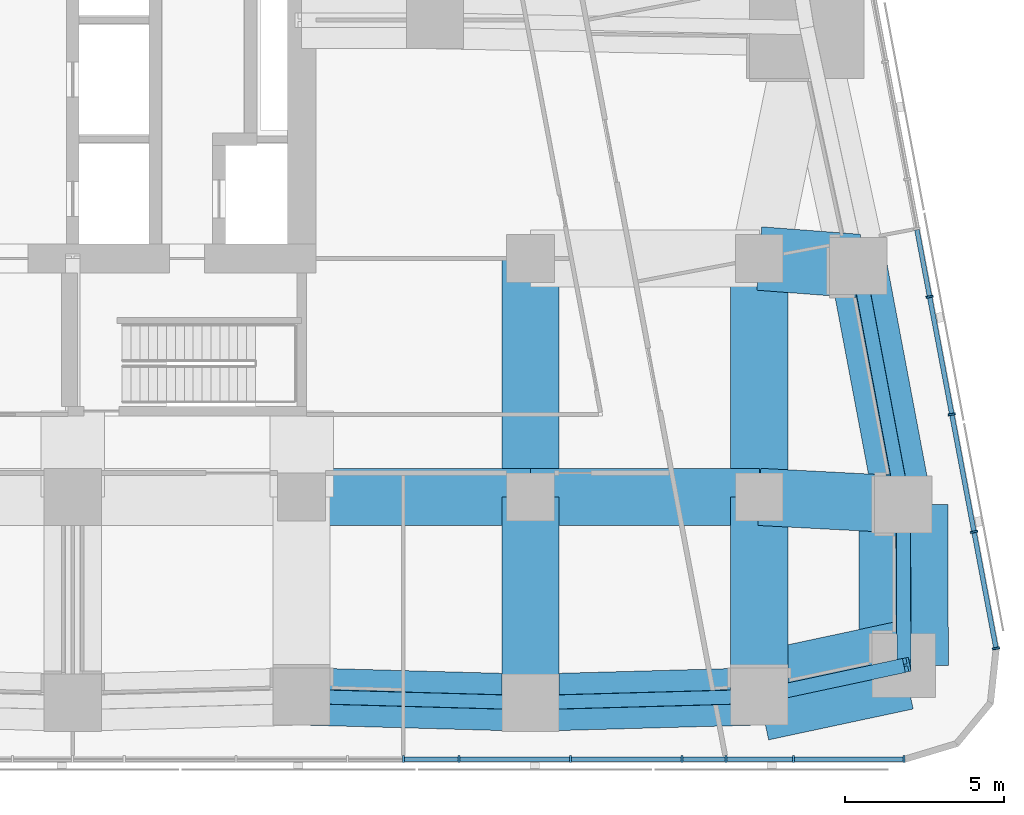
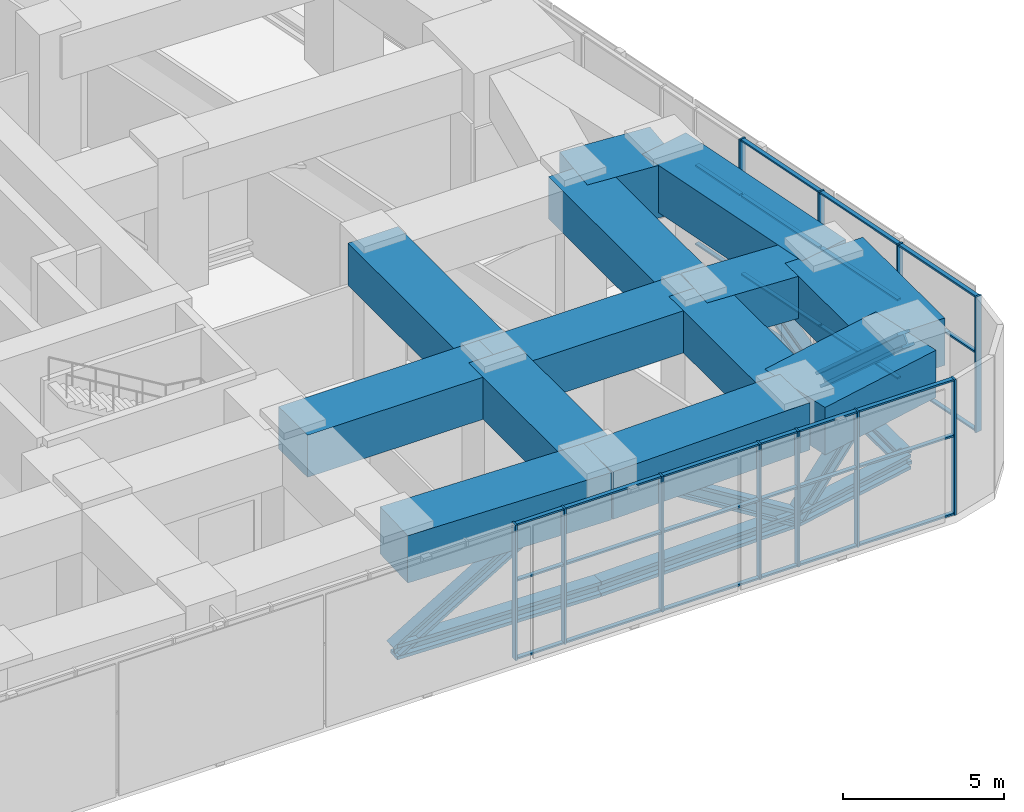
# One storey, part 5 of 17: 50 members, 13 beams, 2 elements without a shape of their own.
"""IFC4 building model written with IfcOpenShell, lengths in metres."""

from ifc_helpers import new_model, si_unit, direction, frame, origin, origin_2d, place, context, subcontext, project, spatial, rectangle, i_section, extrude, material, material_profile, profile_set, type_object, element, aggregate, save


model = new_model("IFC4")

# Units and contexts
model_context = context("Model", 3, precision=1e-05, world=origin(), true_north=direction((0.0, 1.0)))
body_context = subcontext(model_context, "Body", "Model", "MODEL_VIEW")
ifc_project = project(units=[si_unit("LENGTHUNIT", "METRE"), si_unit("AREAUNIT", "SQUARE_METRE"), si_unit("VOLUMEUNIT", "CUBIC_METRE"), si_unit("PLANEANGLEUNIT", "RADIAN"), si_unit("MASSUNIT", "GRAM", prefix="KILO")], contexts=[model_context])

# Site, building, storey
site_placement = place(None, origin())
site = spatial("IfcSite", under=ifc_project, at=site_placement, CompositionType="ELEMENT")
building_placement = place(site_placement, origin())
building = spatial("IfcBuilding", under=site, at=building_placement, Name="Sheger Commons Tower", CompositionType="ELEMENT")
storey_placement = place(building_placement, frame((0.0, 0.0, 188.300048828125)))
storey = spatial("IfcBuildingStorey", under=building, at=storey_placement, Name="L48", CompositionType="ELEMENT", Elevation=188.300048828125)

# Beams
ifc_material_1 = material(Name="Concrete C50/60", Category="concrete")
ifc_material_profile_1 = material_profile(ifc_material_1, rectangle(XDim=1.800048828125, YDim=1.60009765625, at=origin_2d()), Name="RC 1800x1600")
ifc_profile_set_1 = profile_set([ifc_material_profile_1], Name="Concrete C50/60")
beam_type_1 = type_object("IfcBeamType", Name="BEAM RC 1800x1600", PredefinedType="BEAM", material=ifc_profile_set_1)
for number, where, z_axis, x_axis, name in (
    (1, (28.800048828125, 7.5, 4.349853515625), (1.0, 0.0, 0.0), (0.0, 1.0, 0.0), "Beam 5/B-6/B under L49"),
    (2, (36.0, 7.5, 4.349853515625), (1.0, 0.0, 0.0), (0.0, 1.0, 0.0), "Beam 6/B-7/B under L49"),
):
    element("IfcBeam", number, at=place(storey_placement, frame(where, z_axis=z_axis, x_axis=x_axis)), inside=storey, type_object=beam_type_1, Name=name, PredefinedType="BEAM", context=body_context, shape_type="SweptSolid", body=[
        extrude(rectangle(XDim=1.800048828125, YDim=1.60009765625, at=origin_2d()), origin(), (0.0, 0.0, 1.0), 7.199951171875),
    ])
beam_1_placement = place(storey_placement, frame((43.199951171875, 7.5, 4.349853515625), z_axis=(0.998633543943, -0.052259400225, 0.0), x_axis=(0.052259400225, 0.998633543943, 0.0)))
element("IfcBeam", 3, at=beam_1_placement, inside=storey, type_object=beam_type_1, Name="Beam 7/B-E/B under L49", PredefinedType="BEAM", context=body_context, shape_type="SweptSolid", body=[
    extrude(rectangle(XDim=1.800048828125, YDim=1.60009765625, at=origin_2d()), origin(), (0.0, 0.0, 1.0), 4.5361328125),
])
beam_2_placement = place(storey_placement, frame((36.0, 1.02490234375, 4.349853515625), z_axis=(0.0, 1.0, 0.0), x_axis=(-1.0, 0.0, 0.0)))
element("IfcBeam", 4, at=beam_2_placement, inside=storey, type_object=beam_type_1, Name="Beam 6/A-6/B under L49", PredefinedType="BEAM", context=body_context, shape_type="SweptSolid", body=[
    extrude(rectangle(XDim=1.800048828125, YDim=1.60009765625, at=origin_2d()), origin(), (0.0, 0.0, 1.0), 6.47509765625),
])
beam_3_placement = place(storey_placement, frame((36.0, 7.5, 4.349853515625), z_axis=(0.0, 1.0, 0.0), x_axis=(-1.0, 0.0, 0.0)))
element("IfcBeam", 5, at=beam_3_placement, inside=storey, type_object=beam_type_1, Name="Beam 6/B-6/C under L49", PredefinedType="BEAM", context=body_context, shape_type="SweptSolid", body=[
    extrude(rectangle(XDim=1.800048828125, YDim=1.60009765625, at=origin_2d()), origin(), (0.0, 0.0, 1.0), 7.5),
])
beam_4_placement = place(storey_placement, frame((43.199951171875, 1.22509765625, 4.349853515625), z_axis=(0.0, 1.0, 0.0), x_axis=(-1.0, 0.0, 0.0)))
element("IfcBeam", 6, at=beam_4_placement, inside=storey, type_object=beam_type_1, Name="Beam 7/A-7/B under L49", PredefinedType="BEAM", context=body_context, shape_type="SweptSolid", body=[
    extrude(rectangle(XDim=1.800048828125, YDim=1.60009765625, at=origin_2d()), origin(), (0.0, 0.0, 1.0), 6.27490234375),
])
beam_5_placement = place(storey_placement, frame((43.199951171875, 7.5, 4.349853515625), z_axis=(0.0, 1.0, 0.0), x_axis=(-1.0, 0.0, 0.0)))
element("IfcBeam", 7, at=beam_5_placement, inside=storey, type_object=beam_type_1, Name="Beam 7/B-7/C under L49", PredefinedType="BEAM", context=body_context, shape_type="SweptSolid", body=[
    extrude(rectangle(XDim=1.800048828125, YDim=1.60009765625, at=origin_2d()), origin(), (0.0, 0.0, 1.0), 7.5),
])
ifc_material_2 = material(Name="Concrete C50/60", Category="concrete")
ifc_material_profile_2 = material_profile(ifc_material_2, rectangle(XDim=2.0, YDim=2.0, at=origin_2d()), Name="RC 2000x2000")
ifc_profile_set_2 = profile_set([ifc_material_profile_2], Name="Concrete C50/60")
beam_type_2 = type_object("IfcBeamType", Name="BEAM RC 2000x2000", PredefinedType="BEAM", material=ifc_profile_set_2)
beam_6_placement = place(storey_placement, frame((43.199951171875, 15.0, 4.14990234375), z_axis=(0.997114873388, -0.075907372956, 0.0), x_axis=(0.075907372956, 0.997114873388, 0.0)))
element("IfcBeam", 8, at=beam_6_placement, inside=storey, type_object=beam_type_2, Name="Beam 7/C-E/C under L49", PredefinedType="BEAM", context=body_context, shape_type="SweptSolid", body=[
    extrude(rectangle(XDim=2.0, YDim=2.0, at=origin_2d()), origin(), (0.0, 0.0, 1.0), 3.123046875),
])

# Members
ifc_material_3 = material(Name="Steel S460", Category="steel")
ifc_material_profile_3 = material_profile(ifc_material_3, i_section(OverallWidth=0.44189453125, OverallDepth=0.531005859375, WebThickness=0.06591796875, FlangeThickness=0.10595703125, at=origin_2d()), Name="HD 400x900")
ifc_profile_set_3 = profile_set([ifc_material_profile_3], Name="Steel S460")
member_type_1 = type_object("IfcMemberType", Name="BRACE HD 400x900", PredefinedType="BRACE", material=ifc_profile_set_3)
for number, where, z_axis, x_axis, name in (
    (9, (28.800048828125, 1.22509765625, 0.300048828125), (0.84512466508, -0.023498769976, 0.534052533262), (0.027794350926, 0.9996136624, 0.0), "Belt truss diagonal 28.800,1.225-36.000,1.025"),
    (10, (43.199951171875, 1.22509765625, 0.300048828125), (-0.84512466508, -0.023498769976, 0.534052533262), (0.027794350926, -0.9996136624, 0.0), "Belt truss diagonal 36.000,1.025-43.200,1.225"),
):
    element("IfcMember", number, at=place(storey_placement, frame(where, z_axis=z_axis, x_axis=x_axis)), inside=storey, type_object=member_type_1, Name=name, PredefinedType="BRACE", context=body_context, shape_type="SweptSolid", body=[
        extrude(i_section(OverallWidth=0.44189453125, OverallDepth=0.531005859375, WebThickness=0.06591796875, FlangeThickness=0.10595703125, at=origin_2d()), origin(), (0.0, 0.0, 1.0), 8.519287109375),
    ])
member_1_placement = place(storey_placement, frame((43.199951171875, 1.22509765625, 0.300048828125), z_axis=(0.699041123789, 0.149384438982, 0.699303794242), x_axis=(-0.208980552394, 0.977919796671, 0.0)))
element("IfcMember", 11, at=member_1_placement, inside=storey, type_object=member_type_1, Name="Belt truss diagonal 43.200,1.225-47.748,2.197", PredefinedType="BRACE", context=body_context, shape_type="SweptSolid", body=[
    extrude(i_section(OverallWidth=0.44189453125, OverallDepth=0.531005859375, WebThickness=0.06591796875, FlangeThickness=0.10595703125, at=origin_2d()), origin(), (0.0, 0.0, 1.0), 6.506103515625),
])
member_2_placement = place(storey_placement, frame((47.72998046875, 7.262939453125, 0.300048828125), z_axis=(0.002653252823, -0.743986433615, 0.668189454306), x_axis=(0.999993640937, 0.003566242382, 0.0)))
element("IfcMember", 12, at=member_2_placement, inside=storey, type_object=member_type_1, Name="Belt truss diagonal 47.748,2.197-47.730,7.263", PredefinedType="BRACE", context=body_context, shape_type="SweptSolid", body=[
    extrude(i_section(OverallWidth=0.44189453125, OverallDepth=0.531005859375, WebThickness=0.06591796875, FlangeThickness=0.10595703125, at=origin_2d()), origin(), (0.0, 0.0, 1.0), 6.80908203125),
])
member_3_placement = place(storey_placement, frame((47.72998046875, 7.262939453125, 0.300048828125), z_axis=(-0.159358767921, 0.844051956988, 0.51203620672), x_axis=(-0.982639655108, -0.18552441405, 0.0)))
element("IfcMember", 13, at=member_3_placement, inside=storey, type_object=member_type_1, Name="Belt truss diagonal 47.730,7.263-46.314,14.763", PredefinedType="BRACE", context=body_context, shape_type="SweptSolid", body=[
    extrude(i_section(OverallWidth=0.44189453125, OverallDepth=0.531005859375, WebThickness=0.06591796875, FlangeThickness=0.10595703125, at=origin_2d()), origin(), (0.0, 0.0, 1.0), 8.8857421875),
])
ifc_material_4 = material(Name="Steel S460", Category="steel")
ifc_material_profile_4 = material_profile(ifc_material_4, i_section(OverallWidth=0.4541015625, OverallDepth=0.569091796875, WebThickness=0.077880859375, FlangeThickness=0.125, at=origin_2d()), Name="HD 400x1086")
ifc_profile_set_4 = profile_set([ifc_material_profile_4], Name="Steel S460")
member_type_2 = type_object("IfcMemberType", Name="CHORD HD 400x1086", PredefinedType="CHORD", material=ifc_profile_set_4)
for number, where, z_axis, x_axis, name in (
    (14, (28.800048828125, 1.22509765625, 0.300048828125), (0.9996136624, -0.027794350926, 0.0), (0.027794350926, 0.9996136624, 0.0), "Belt truss bottom chord 28.800,1.225-36.000,1.025"),
    (15, (36.0, 1.02490234375, 0.300048828125), (0.9996136624, 0.027794350926, 0.0), (-0.027794350926, 0.9996136624, 0.0), "Belt truss bottom chord 36.000,1.025-43.200,1.225"),
):
    element("IfcMember", number, at=place(storey_placement, frame(where, z_axis=z_axis, x_axis=x_axis)), inside=storey, type_object=member_type_2, Name=name, PredefinedType="CHORD", context=body_context, shape_type="SweptSolid", body=[
        extrude(i_section(OverallWidth=0.4541015625, OverallDepth=0.569091796875, WebThickness=0.077880859375, FlangeThickness=0.125, at=origin_2d()), origin(), (0.0, 0.0, 1.0), 7.20263671875),
    ])
member_4_placement = place(storey_placement, frame((43.199951171875, 1.22509765625, 0.300048828125), z_axis=(0.977919796671, 0.208980552394, 0.0), x_axis=(-0.208980552394, 0.977919796671, 0.0)))
element("IfcMember", 16, at=member_4_placement, inside=storey, type_object=member_type_2, Name="Belt truss bottom chord 43.200,1.225-47.748,2.197", PredefinedType="CHORD", context=body_context, shape_type="SweptSolid", body=[
    extrude(i_section(OverallWidth=0.4541015625, OverallDepth=0.569091796875, WebThickness=0.077880859375, FlangeThickness=0.125, at=origin_2d()), origin(), (0.0, 0.0, 1.0), 4.65087890625),
])
member_5_placement = place(storey_placement, frame((47.748046875, 2.197021484375, 0.300048828125), z_axis=(-0.003566242382, 0.999993640937, 0.0), x_axis=(-0.999993640937, -0.003566242382, 0.0)))
element("IfcMember", 17, at=member_5_placement, inside=storey, type_object=member_type_2, Name="Belt truss bottom chord 47.748,2.197-47.730,7.263", PredefinedType="CHORD", context=body_context, shape_type="SweptSolid", body=[
    extrude(i_section(OverallWidth=0.4541015625, OverallDepth=0.569091796875, WebThickness=0.077880859375, FlangeThickness=0.125, at=origin_2d()), origin(), (0.0, 0.0, 1.0), 5.06591796875),
])
member_6_placement = place(storey_placement, frame((47.72998046875, 7.262939453125, 0.300048828125), z_axis=(-0.18552441405, 0.982639655108, 0.0), x_axis=(-0.982639655108, -0.18552441405, 0.0)))
element("IfcMember", 18, at=member_6_placement, inside=storey, type_object=member_type_2, Name="Belt truss bottom chord 47.730,7.263-46.314,14.763", PredefinedType="CHORD", context=body_context, shape_type="SweptSolid", body=[
    extrude(i_section(OverallWidth=0.4541015625, OverallDepth=0.569091796875, WebThickness=0.077880859375, FlangeThickness=0.125, at=origin_2d()), origin(), (0.0, 0.0, 1.0), 7.632568359375),
])

# Curtain wall, members
ifc_material_5 = material(Name="Black aluminium curtain wall, dark tinted glazing", Category="aluminium")
curtain_wall_type = type_object("IfcCurtainWallType", Name="CURTAIN WALL CW3 SKY FLOOR", PredefinedType="USERDEFINED", material=ifc_material_5)
curtain_wall_1_placement = place(storey_placement, origin())
curtain_wall_1 = element("IfcCurtainWall", 19, at=curtain_wall_1_placement, inside=storey, type_object=curtain_wall_type, Name="Curtain Wall Cw3 Sky Floor S1 L48", ObjectType="UNITISED CURTAIN WALL", PredefinedType="USERDEFINED")
ifc_material_6 = material(Name="Black anodised aluminium", Category="aluminium")
ifc_material_profile_5 = material_profile(ifc_material_6, rectangle(XDim=0.22509765625, YDim=0.06494140625, at=origin_2d()), Name="AL 65x225")
ifc_profile_set_5 = profile_set([ifc_material_profile_5], Name="Black anodised aluminium")
member_type_3 = type_object("IfcMemberType", Name="MULLION AL 65x225", PredefinedType="MULLION", material=ifc_profile_set_5)
member_7_placement = place(storey_placement, frame((32.0, -0.75, 0.0), z_axis=(0.0, 0.0, 1.0), x_axis=(0.0, 1.0, 0.0)))
member_7 = element("IfcMember", 20, at=member_7_placement, type_object=member_type_3, Name="CW3 mullion 12", PredefinedType="MULLION", context=body_context, shape_type="SweptSolid", body=[
    extrude(rectangle(XDim=0.22509765625, YDim=0.06494140625, at=origin_2d()), origin(), (0.0, 0.0, 1.0), 5.14990234375),
])
member_8_placement = place(storey_placement, frame((33.751953125, -0.75, 0.0), z_axis=(0.0, 0.0, 1.0), x_axis=(0.0, 1.0, 0.0)))
member_8 = element("IfcMember", 21, at=member_8_placement, type_object=member_type_3, Name="CW3 mullion 13", PredefinedType="MULLION", context=body_context, shape_type="SweptSolid", body=[
    extrude(rectangle(XDim=0.22509765625, YDim=0.06494140625, at=origin_2d()), origin(), (0.0, 0.0, 1.0), 5.14990234375),
])
member_9_placement = place(storey_placement, frame((37.260986328125, -0.75, 0.0), z_axis=(0.0, 0.0, 1.0), x_axis=(0.0, 1.0, 0.0)))
member_9 = element("IfcMember", 22, at=member_9_placement, type_object=member_type_3, Name="CW3 mullion 14", PredefinedType="MULLION", context=body_context, shape_type="SweptSolid", body=[
    extrude(rectangle(XDim=0.22509765625, YDim=0.06494140625, at=origin_2d()), origin(), (0.0, 0.0, 1.0), 5.14990234375),
])
member_10_placement = place(storey_placement, frame((40.77099609375, -0.75, 0.0), z_axis=(0.0, 0.0, 1.0), x_axis=(0.0, 1.0, 0.0)))
member_10 = element("IfcMember", 23, at=member_10_placement, type_object=member_type_3, Name="CW3 mullion 15", PredefinedType="MULLION", context=body_context, shape_type="SweptSolid", body=[
    extrude(rectangle(XDim=0.22509765625, YDim=0.06494140625, at=origin_2d()), origin(), (0.0, 0.0, 1.0), 5.14990234375),
])
member_11_placement = place(storey_placement, frame((42.14599609375, -0.75, 0.0), z_axis=(0.0, 0.0, 1.0), x_axis=(0.0, 1.0, 0.0)))
member_11 = element("IfcMember", 24, at=member_11_placement, type_object=member_type_3, Name="CW3 mullion 16", PredefinedType="MULLION", context=body_context, shape_type="SweptSolid", body=[
    extrude(rectangle(XDim=0.22509765625, YDim=0.06494140625, at=origin_2d()), origin(), (0.0, 0.0, 1.0), 5.14990234375),
])
member_12_placement = place(storey_placement, frame((44.281005859375, -0.75, 0.0), z_axis=(0.0, 0.0, 1.0), x_axis=(0.0, 1.0, 0.0)))
member_12 = element("IfcMember", 25, at=member_12_placement, type_object=member_type_3, Name="CW3 mullion 17", PredefinedType="MULLION", context=body_context, shape_type="SweptSolid", body=[
    extrude(rectangle(XDim=0.22509765625, YDim=0.06494140625, at=origin_2d()), origin(), (0.0, 0.0, 1.0), 5.14990234375),
])
member_13_placement = place(storey_placement, frame((47.758544921875, -0.75, 0.0), z_axis=(0.0, 0.0, 1.0), x_axis=(0.0, 1.0, 0.0)))
member_13 = element("IfcMember", 26, at=member_13_placement, type_object=member_type_3, Name="CW3 mullion 18", PredefinedType="MULLION", context=body_context, shape_type="SweptSolid", body=[
    extrude(rectangle(XDim=0.22509765625, YDim=0.06494140625, at=origin_2d()), origin(), (0.0, 0.0, 1.0), 5.14990234375),
])

curtain_wall_2_placement = place(storey_placement, origin())
curtain_wall_2 = element("IfcCurtainWall", 27, at=curtain_wall_2_placement, inside=storey, type_object=curtain_wall_type, Name="Curtain Wall Cw3 Sky Floor E1 L48", ObjectType="UNITISED CURTAIN WALL", PredefinedType="USERDEFINED")
member_14_placement = place(storey_placement, frame((50.64697265625, 2.73486328125, 0.0), z_axis=(0.0, 0.0, 1.0), x_axis=(-0.982623514181, -0.185609884918, 0.0)))
member_14 = element("IfcMember", 28, at=member_14_placement, type_object=member_type_3, Name="CW3 mullion 1", PredefinedType="MULLION", context=body_context, shape_type="SweptSolid", body=[
    extrude(rectangle(XDim=0.22509765625, YDim=0.06494140625, at=origin_2d()), origin(), (0.0, 0.0, 1.0), 5.14990234375),
])
member_15_placement = place(storey_placement, frame((49.95458984375, 6.400634765625, 0.0), z_axis=(0.0, 0.0, 1.0), x_axis=(-0.982623514181, -0.185609884918, 0.0)))
member_15 = element("IfcMember", 29, at=member_15_placement, type_object=member_type_3, Name="CW3 mullion 2", PredefinedType="MULLION", context=body_context, shape_type="SweptSolid", body=[
    extrude(rectangle(XDim=0.22509765625, YDim=0.06494140625, at=origin_2d()), origin(), (0.0, 0.0, 1.0), 5.14990234375),
])
member_16_placement = place(storey_placement, frame((49.256103515625, 10.09814453125, 0.0), z_axis=(0.0, 0.0, 1.0), x_axis=(-0.982623514181, -0.185609884918, 0.0)))
member_16 = element("IfcMember", 30, at=member_16_placement, type_object=member_type_3, Name="CW3 mullion 3", PredefinedType="MULLION", context=body_context, shape_type="SweptSolid", body=[
    extrude(rectangle(XDim=0.22509765625, YDim=0.06494140625, at=origin_2d()), origin(), (0.0, 0.0, 1.0), 5.14990234375),
])
member_17_placement = place(storey_placement, frame((48.5576171875, 13.7958984375, 0.0), z_axis=(0.0, 0.0, 1.0), x_axis=(-0.982623514181, -0.185609884918, 0.0)))
member_17 = element("IfcMember", 31, at=member_17_placement, type_object=member_type_3, Name="CW3 mullion 4", PredefinedType="MULLION", context=body_context, shape_type="SweptSolid", body=[
    extrude(rectangle(XDim=0.22509765625, YDim=0.06494140625, at=origin_2d()), origin(), (0.0, 0.0, 1.0), 5.14990234375),
])

# Beams
ifc_material_7 = material(Name="Concrete C50/60", Category="concrete")
ifc_material_profile_6 = material_profile(ifc_material_7, rectangle(XDim=1.800048828125, YDim=1.800048828125, at=origin_2d()), Name="RC 1800x1800")
ifc_profile_set_6 = profile_set([ifc_material_profile_6], Name="Concrete C50/60")
beam_type_3 = type_object("IfcBeamType", Name="SPANDREL RC 1800x1800", PredefinedType="SPANDREL", material=ifc_profile_set_6)
for number, where, z_axis, x_axis, name in (
    (32, (28.800048828125, 1.22509765625, 4.25), (0.9996136624, -0.027794350926, 0.0), (0.027794350926, 0.9996136624, 0.0), "Beam 5/A-6/A under L49"),
    (33, (36.0, 1.02490234375, 4.25), (0.9996136624, 0.027794350926, 0.0), (-0.027794350926, 0.9996136624, 0.0), "Beam 6/A-7/A under L49"),
):
    element("IfcBeam", number, at=place(storey_placement, frame(where, z_axis=z_axis, x_axis=x_axis)), inside=storey, type_object=beam_type_3, Name=name, PredefinedType="SPANDREL", context=body_context, shape_type="SweptSolid", body=[
        extrude(rectangle(XDim=1.800048828125, YDim=1.800048828125, at=origin_2d()), origin(), (0.0, 0.0, 1.0), 7.20263671875),
    ])
beam_7_placement = place(storey_placement, frame((47.72998046875, 7.262939453125, 4.25), z_axis=(-0.18552441405, 0.982639655108, 0.0), x_axis=(-0.982639655108, -0.18552441405, 0.0)))
element("IfcBeam", 34, at=beam_7_placement, inside=storey, type_object=beam_type_3, Name="Beam E/B-E/C under L49", PredefinedType="SPANDREL", context=body_context, shape_type="SweptSolid", body=[
    extrude(rectangle(XDim=1.800048828125, YDim=1.800048828125, at=origin_2d()), origin(), (0.0, 0.0, 1.0), 7.632568359375),
])
ifc_material_8 = material(Name="Concrete C50/60", Category="concrete")
ifc_material_profile_7 = material_profile(ifc_material_8, rectangle(XDim=2.800048828125, YDim=1.800048828125, at=origin_2d()), Name="RC 2800x1800")
ifc_profile_set_7 = profile_set([ifc_material_profile_7], Name="Concrete C50/60")
beam_type_4 = type_object("IfcBeamType", Name="SPANDREL RC 2800x1800", PredefinedType="SPANDREL", material=ifc_profile_set_7)
beam_8_placement = place(storey_placement, frame((43.199951171875, 1.22509765625, 4.25), z_axis=(0.977919796671, 0.208980552394, 0.0), x_axis=(-0.208980552394, 0.977919796671, 0.0)))
element("IfcBeam", 35, at=beam_8_placement, inside=storey, type_object=beam_type_4, Name="Beam 7/A-49.461,0.778 under L49", PredefinedType="SPANDREL", context=body_context, shape_type="SweptSolid", body=[
    extrude(rectangle(XDim=2.800048828125, YDim=1.800048828125, at=origin_2d()), origin(), (0.0, 0.0, 1.0), 4.65087890625),
])
beam_9_placement = place(storey_placement, frame((47.748046875, 2.197021484375, 4.25), z_axis=(-0.003566242382, 0.999993640937, 0.0), x_axis=(-0.999993640937, -0.003566242382, 0.0)))
element("IfcBeam", 36, at=beam_9_placement, inside=storey, type_object=beam_type_4, Name="Beam 49.461,0.778-E/B under L49", PredefinedType="SPANDREL", context=body_context, shape_type="SweptSolid", body=[
    extrude(rectangle(XDim=2.800048828125, YDim=1.800048828125, at=origin_2d()), origin(), (0.0, 0.0, 1.0), 5.06591796875),
])

# Member
ifc_material_9 = material(Name="Black anodised aluminium", Category="aluminium")
ifc_material_profile_8 = material_profile(ifc_material_9, rectangle(XDim=0.14990234375, YDim=0.06494140625, at=origin_2d()), Name="AL 65x150")
ifc_profile_set_8 = profile_set([ifc_material_profile_8], Name="Black anodised aluminium")
member_type_4 = type_object("IfcMemberType", Name="TRANSOM AL 65x150", PredefinedType="USERDEFINED", material=ifc_profile_set_8)
member_18_placement = place(storey_placement, frame((32.032470703125, -0.75, 0.032470703125), z_axis=(1.0, 0.0, 0.0), x_axis=(0.0, 1.0, 0.0)))
member_18 = element("IfcMember", 37, at=member_18_placement, type_object=member_type_4, Name="CW3 transom 12.1", ObjectType="TRANSOM", PredefinedType="USERDEFINED", context=body_context, shape_type="SweptSolid", body=[
    extrude(rectangle(XDim=0.14990234375, YDim=0.06494140625, at=origin_2d()), origin(), (0.0, 0.0, 1.0), 1.68701171875),
])

member_19_placement = place(storey_placement, frame((32.032470703125, -0.75, 3.0), z_axis=(1.0, 0.0, 0.0), x_axis=(0.0, 1.0, 0.0)))
member_19 = element("IfcMember", 38, at=member_19_placement, type_object=member_type_4, Name="CW3 transom 12.2", ObjectType="TRANSOM", PredefinedType="USERDEFINED", context=body_context, shape_type="SweptSolid", body=[
    extrude(rectangle(XDim=0.14990234375, YDim=0.06494140625, at=origin_2d()), origin(), (0.0, 0.0, 1.0), 1.68701171875),
])

member_20_placement = place(storey_placement, frame((32.032470703125, -0.75, 5.117431640625), z_axis=(1.0, 0.0, 0.0), x_axis=(0.0, 1.0, 0.0)))
member_20 = element("IfcMember", 39, at=member_20_placement, type_object=member_type_4, Name="CW3 transom 12.3", ObjectType="TRANSOM", PredefinedType="USERDEFINED", context=body_context, shape_type="SweptSolid", body=[
    extrude(rectangle(XDim=0.14990234375, YDim=0.06494140625, at=origin_2d()), origin(), (0.0, 0.0, 1.0), 1.68701171875),
])

member_21_placement = place(storey_placement, frame((33.784423828125, -0.75, 0.032470703125), z_axis=(1.0, 0.0, 0.0), x_axis=(0.0, 1.0, 0.0)))
member_21 = element("IfcMember", 40, at=member_21_placement, type_object=member_type_4, Name="CW3 transom 13.1", ObjectType="TRANSOM", PredefinedType="USERDEFINED", context=body_context, shape_type="SweptSolid", body=[
    extrude(rectangle(XDim=0.14990234375, YDim=0.06494140625, at=origin_2d()), origin(), (0.0, 0.0, 1.0), 3.444091796875),
])

member_22_placement = place(storey_placement, frame((33.784423828125, -0.75, 3.0), z_axis=(1.0, 0.0, 0.0), x_axis=(0.0, 1.0, 0.0)))
member_22 = element("IfcMember", 41, at=member_22_placement, type_object=member_type_4, Name="CW3 transom 13.2", ObjectType="TRANSOM", PredefinedType="USERDEFINED", context=body_context, shape_type="SweptSolid", body=[
    extrude(rectangle(XDim=0.14990234375, YDim=0.06494140625, at=origin_2d()), origin(), (0.0, 0.0, 1.0), 3.444091796875),
])

member_23_placement = place(storey_placement, frame((33.784423828125, -0.75, 5.117431640625), z_axis=(1.0, 0.0, 0.0), x_axis=(0.0, 1.0, 0.0)))
member_23 = element("IfcMember", 42, at=member_23_placement, type_object=member_type_4, Name="CW3 transom 13.3", ObjectType="TRANSOM", PredefinedType="USERDEFINED", context=body_context, shape_type="SweptSolid", body=[
    extrude(rectangle(XDim=0.14990234375, YDim=0.06494140625, at=origin_2d()), origin(), (0.0, 0.0, 1.0), 3.444091796875),
])

member_24_placement = place(storey_placement, frame((37.29345703125, -0.75, 0.032470703125), z_axis=(1.0, 0.0, 0.0), x_axis=(0.0, 1.0, 0.0)))
member_24 = element("IfcMember", 43, at=member_24_placement, type_object=member_type_4, Name="CW3 transom 14.1", ObjectType="TRANSOM", PredefinedType="USERDEFINED", context=body_context, shape_type="SweptSolid", body=[
    extrude(rectangle(XDim=0.14990234375, YDim=0.06494140625, at=origin_2d()), origin(), (0.0, 0.0, 1.0), 3.445068359375),
])

member_25_placement = place(storey_placement, frame((37.29345703125, -0.75, 3.0), z_axis=(1.0, 0.0, 0.0), x_axis=(0.0, 1.0, 0.0)))
member_25 = element("IfcMember", 44, at=member_25_placement, type_object=member_type_4, Name="CW3 transom 14.2", ObjectType="TRANSOM", PredefinedType="USERDEFINED", context=body_context, shape_type="SweptSolid", body=[
    extrude(rectangle(XDim=0.14990234375, YDim=0.06494140625, at=origin_2d()), origin(), (0.0, 0.0, 1.0), 3.445068359375),
])

member_26_placement = place(storey_placement, frame((37.29345703125, -0.75, 5.117431640625), z_axis=(1.0, 0.0, 0.0), x_axis=(0.0, 1.0, 0.0)))
member_26 = element("IfcMember", 45, at=member_26_placement, type_object=member_type_4, Name="CW3 transom 14.3", ObjectType="TRANSOM", PredefinedType="USERDEFINED", context=body_context, shape_type="SweptSolid", body=[
    extrude(rectangle(XDim=0.14990234375, YDim=0.06494140625, at=origin_2d()), origin(), (0.0, 0.0, 1.0), 3.445068359375),
])

member_27_placement = place(storey_placement, frame((40.803466796875, -0.75, 0.032470703125), z_axis=(1.0, 0.0, 0.0), x_axis=(0.0, 1.0, 0.0)))
member_27 = element("IfcMember", 46, at=member_27_placement, type_object=member_type_4, Name="CW3 transom 15.1", ObjectType="TRANSOM", PredefinedType="USERDEFINED", context=body_context, shape_type="SweptSolid", body=[
    extrude(rectangle(XDim=0.14990234375, YDim=0.06494140625, at=origin_2d()), origin(), (0.0, 0.0, 1.0), 1.31005859375),
])

member_28_placement = place(storey_placement, frame((40.803466796875, -0.75, 3.0), z_axis=(1.0, 0.0, 0.0), x_axis=(0.0, 1.0, 0.0)))
member_28 = element("IfcMember", 47, at=member_28_placement, type_object=member_type_4, Name="CW3 transom 15.2", ObjectType="TRANSOM", PredefinedType="USERDEFINED", context=body_context, shape_type="SweptSolid", body=[
    extrude(rectangle(XDim=0.14990234375, YDim=0.06494140625, at=origin_2d()), origin(), (0.0, 0.0, 1.0), 1.31005859375),
])

member_29_placement = place(storey_placement, frame((40.803466796875, -0.75, 5.117431640625), z_axis=(1.0, 0.0, 0.0), x_axis=(0.0, 1.0, 0.0)))
member_29 = element("IfcMember", 48, at=member_29_placement, type_object=member_type_4, Name="CW3 transom 15.3", ObjectType="TRANSOM", PredefinedType="USERDEFINED", context=body_context, shape_type="SweptSolid", body=[
    extrude(rectangle(XDim=0.14990234375, YDim=0.06494140625, at=origin_2d()), origin(), (0.0, 0.0, 1.0), 1.31005859375),
])

member_30_placement = place(storey_placement, frame((42.178466796875, -0.75, 0.032470703125), z_axis=(1.0, 0.0, 0.0), x_axis=(0.0, 1.0, 0.0)))
member_30 = element("IfcMember", 49, at=member_30_placement, type_object=member_type_4, Name="CW3 transom 16.1", ObjectType="TRANSOM", PredefinedType="USERDEFINED", context=body_context, shape_type="SweptSolid", body=[
    extrude(rectangle(XDim=0.14990234375, YDim=0.06494140625, at=origin_2d()), origin(), (0.0, 0.0, 1.0), 2.070068359375),
])

member_31_placement = place(storey_placement, frame((42.178466796875, -0.75, 3.0), z_axis=(1.0, 0.0, 0.0), x_axis=(0.0, 1.0, 0.0)))
member_31 = element("IfcMember", 50, at=member_31_placement, type_object=member_type_4, Name="CW3 transom 16.2", ObjectType="TRANSOM", PredefinedType="USERDEFINED", context=body_context, shape_type="SweptSolid", body=[
    extrude(rectangle(XDim=0.14990234375, YDim=0.06494140625, at=origin_2d()), origin(), (0.0, 0.0, 1.0), 2.070068359375),
])

member_32_placement = place(storey_placement, frame((42.178466796875, -0.75, 5.117431640625), z_axis=(1.0, 0.0, 0.0), x_axis=(0.0, 1.0, 0.0)))
member_32 = element("IfcMember", 51, at=member_32_placement, type_object=member_type_4, Name="CW3 transom 16.3", ObjectType="TRANSOM", PredefinedType="USERDEFINED", context=body_context, shape_type="SweptSolid", body=[
    extrude(rectangle(XDim=0.14990234375, YDim=0.06494140625, at=origin_2d()), origin(), (0.0, 0.0, 1.0), 2.070068359375),
])

member_33_placement = place(storey_placement, frame((44.3134765625, -0.75, 0.032470703125), z_axis=(1.0, 0.0, 0.0), x_axis=(0.0, 1.0, 0.0)))
member_33 = element("IfcMember", 52, at=member_33_placement, type_object=member_type_4, Name="CW3 transom 17.1", ObjectType="TRANSOM", PredefinedType="USERDEFINED", context=body_context, shape_type="SweptSolid", body=[
    extrude(rectangle(XDim=0.14990234375, YDim=0.06494140625, at=origin_2d()), origin(), (0.0, 0.0, 1.0), 3.41259765625),
])

member_34_placement = place(storey_placement, frame((44.3134765625, -0.75, 3.0), z_axis=(1.0, 0.0, 0.0), x_axis=(0.0, 1.0, 0.0)))
member_34 = element("IfcMember", 53, at=member_34_placement, type_object=member_type_4, Name="CW3 transom 17.2", ObjectType="TRANSOM", PredefinedType="USERDEFINED", context=body_context, shape_type="SweptSolid", body=[
    extrude(rectangle(XDim=0.14990234375, YDim=0.06494140625, at=origin_2d()), origin(), (0.0, 0.0, 1.0), 3.41259765625),
])

member_35_placement = place(storey_placement, frame((44.3134765625, -0.75, 5.117431640625), z_axis=(1.0, 0.0, 0.0), x_axis=(0.0, 1.0, 0.0)))
member_35 = element("IfcMember", 54, at=member_35_placement, type_object=member_type_4, Name="CW3 transom 17.3", ObjectType="TRANSOM", PredefinedType="USERDEFINED", context=body_context, shape_type="SweptSolid", body=[
    extrude(rectangle(XDim=0.14990234375, YDim=0.06494140625, at=origin_2d()), origin(), (0.0, 0.0, 1.0), 3.41259765625),
])

aggregate(curtain_wall_1, [member_7, member_8, member_9, member_10, member_11, member_12, member_13, member_18, member_19, member_20, member_21, member_22, member_23, member_24, member_25, member_26, member_27, member_28, member_29, member_30, member_31, member_32, member_33, member_34, member_35])

member_36_placement = place(storey_placement, frame((50.640869140625, 2.766845703125, 0.032470703125), z_axis=(-0.185563185982, 0.982632334095, 0.0), x_axis=(-0.982632334095, -0.185563185982, 0.0)))
member_36 = element("IfcMember", 55, at=member_36_placement, type_object=member_type_4, Name="CW3 transom 1.1", ObjectType="TRANSOM", PredefinedType="USERDEFINED", context=body_context, shape_type="SweptSolid", body=[
    extrude(rectangle(XDim=0.14990234375, YDim=0.06494140625, at=origin_2d()), origin(), (0.0, 0.0, 1.0), 3.66552734375),
])

member_37_placement = place(storey_placement, frame((50.640869140625, 2.766845703125, 3.0), z_axis=(-0.185563185982, 0.982632334095, 0.0), x_axis=(-0.982632334095, -0.185563185982, 0.0)))
member_37 = element("IfcMember", 56, at=member_37_placement, type_object=member_type_4, Name="CW3 transom 1.2", ObjectType="TRANSOM", PredefinedType="USERDEFINED", context=body_context, shape_type="SweptSolid", body=[
    extrude(rectangle(XDim=0.14990234375, YDim=0.06494140625, at=origin_2d()), origin(), (0.0, 0.0, 1.0), 3.66552734375),
])

member_38_placement = place(storey_placement, frame((50.640869140625, 2.766845703125, 5.117431640625), z_axis=(-0.185563185982, 0.982632334095, 0.0), x_axis=(-0.982632334095, -0.185563185982, 0.0)))
member_38 = element("IfcMember", 57, at=member_38_placement, type_object=member_type_4, Name="CW3 transom 1.3", ObjectType="TRANSOM", PredefinedType="USERDEFINED", context=body_context, shape_type="SweptSolid", body=[
    extrude(rectangle(XDim=0.14990234375, YDim=0.06494140625, at=origin_2d()), origin(), (0.0, 0.0, 1.0), 3.66552734375),
])

member_39_placement = place(storey_placement, frame((49.948486328125, 6.4326171875, 0.032470703125), z_axis=(-0.185579860214, 0.982629185137, 0.0), x_axis=(-0.982629185137, -0.185579860214, 0.0)))
member_39 = element("IfcMember", 58, at=member_39_placement, type_object=member_type_4, Name="CW3 transom 2.1", ObjectType="TRANSOM", PredefinedType="USERDEFINED", context=body_context, shape_type="SweptSolid", body=[
    extrude(rectangle(XDim=0.14990234375, YDim=0.06494140625, at=origin_2d()), origin(), (0.0, 0.0, 1.0), 3.697998046875),
])

member_40_placement = place(storey_placement, frame((49.948486328125, 6.4326171875, 3.0), z_axis=(-0.185579860214, 0.982629185137, 0.0), x_axis=(-0.982629185137, -0.185579860214, 0.0)))
member_40 = element("IfcMember", 59, at=member_40_placement, type_object=member_type_4, Name="CW3 transom 2.2", ObjectType="TRANSOM", PredefinedType="USERDEFINED", context=body_context, shape_type="SweptSolid", body=[
    extrude(rectangle(XDim=0.14990234375, YDim=0.06494140625, at=origin_2d()), origin(), (0.0, 0.0, 1.0), 3.697998046875),
])

member_41_placement = place(storey_placement, frame((49.948486328125, 6.4326171875, 5.117431640625), z_axis=(-0.185579860214, 0.982629185137, 0.0), x_axis=(-0.982629185137, -0.185579860214, 0.0)))
member_41 = element("IfcMember", 60, at=member_41_placement, type_object=member_type_4, Name="CW3 transom 2.3", ObjectType="TRANSOM", PredefinedType="USERDEFINED", context=body_context, shape_type="SweptSolid", body=[
    extrude(rectangle(XDim=0.14990234375, YDim=0.06494140625, at=origin_2d()), origin(), (0.0, 0.0, 1.0), 3.697998046875),
])

member_42_placement = place(storey_placement, frame((49.25, 10.130126953125, 0.032470703125), z_axis=(-0.185579860214, 0.982629185137, 0.0), x_axis=(-0.982629185137, -0.185579860214, 0.0)))
member_42 = element("IfcMember", 61, at=member_42_placement, type_object=member_type_4, Name="CW3 transom 3.1", ObjectType="TRANSOM", PredefinedType="USERDEFINED", context=body_context, shape_type="SweptSolid", body=[
    extrude(rectangle(XDim=0.14990234375, YDim=0.06494140625, at=origin_2d()), origin(), (0.0, 0.0, 1.0), 3.697998046875),
])

member_43_placement = place(storey_placement, frame((49.25, 10.130126953125, 3.0), z_axis=(-0.185579860214, 0.982629185137, 0.0), x_axis=(-0.982629185137, -0.185579860214, 0.0)))
member_43 = element("IfcMember", 62, at=member_43_placement, type_object=member_type_4, Name="CW3 transom 3.2", ObjectType="TRANSOM", PredefinedType="USERDEFINED", context=body_context, shape_type="SweptSolid", body=[
    extrude(rectangle(XDim=0.14990234375, YDim=0.06494140625, at=origin_2d()), origin(), (0.0, 0.0, 1.0), 3.697998046875),
])

member_44_placement = place(storey_placement, frame((49.25, 10.130126953125, 5.117431640625), z_axis=(-0.185579860214, 0.982629185137, 0.0), x_axis=(-0.982629185137, -0.185579860214, 0.0)))
member_44 = element("IfcMember", 63, at=member_44_placement, type_object=member_type_4, Name="CW3 transom 3.3", ObjectType="TRANSOM", PredefinedType="USERDEFINED", context=body_context, shape_type="SweptSolid", body=[
    extrude(rectangle(XDim=0.14990234375, YDim=0.06494140625, at=origin_2d()), origin(), (0.0, 0.0, 1.0), 3.697998046875),
])

member_45_placement = place(storey_placement, frame((48.551513671875, 13.827880859375, 0.032470703125), z_axis=(-0.185572064419, 0.982630657423, 0.0), x_axis=(-0.982630657423, -0.185572064419, 0.0)))
member_45 = element("IfcMember", 64, at=member_45_placement, type_object=member_type_4, Name="CW3 transom 4.1", ObjectType="TRANSOM", PredefinedType="USERDEFINED", context=body_context, shape_type="SweptSolid", body=[
    extrude(rectangle(XDim=0.14990234375, YDim=0.06494140625, at=origin_2d()), origin(), (0.0, 0.0, 1.0), 2.11279296875),
])

member_46_placement = place(storey_placement, frame((48.551513671875, 13.827880859375, 3.0), z_axis=(-0.185572064419, 0.982630657423, 0.0), x_axis=(-0.982630657423, -0.185572064419, 0.0)))
member_46 = element("IfcMember", 65, at=member_46_placement, type_object=member_type_4, Name="CW3 transom 4.2", ObjectType="TRANSOM", PredefinedType="USERDEFINED", context=body_context, shape_type="SweptSolid", body=[
    extrude(rectangle(XDim=0.14990234375, YDim=0.06494140625, at=origin_2d()), origin(), (0.0, 0.0, 1.0), 2.11279296875),
])

aggregate(curtain_wall_2, [member_14, member_15, member_16, member_17, member_36, member_37, member_38, member_39, member_40, member_41, member_42, member_43, member_44, member_45, member_46])

save(model, "model.ifc")
